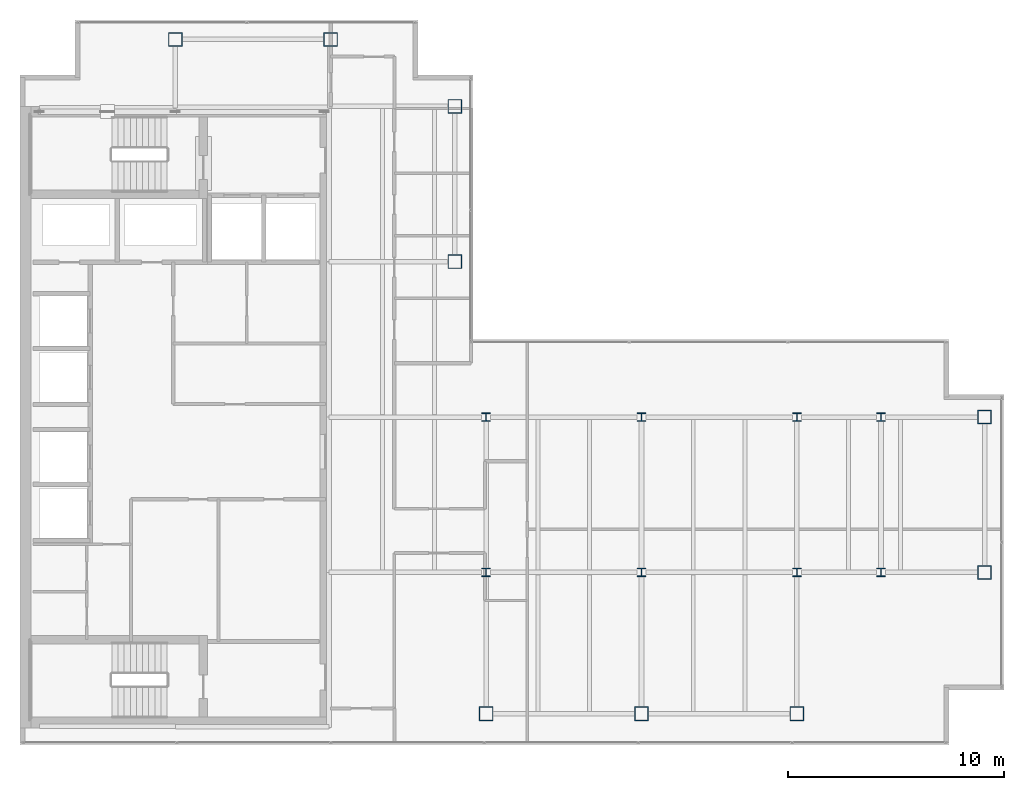
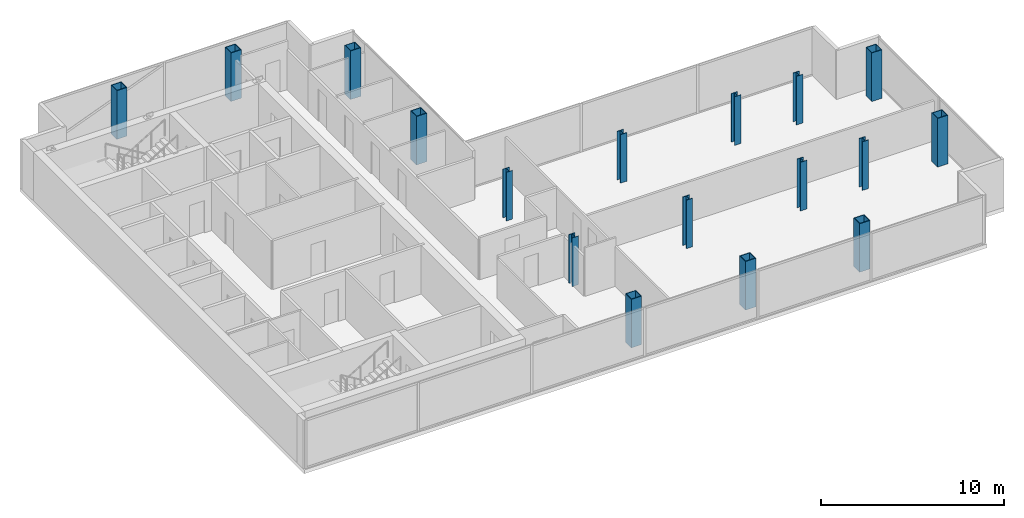
# One storey, part 1 of 23: 17 columns.
"""IFC4 building model written with IfcOpenShell, lengths in metres."""

import ifcopenshell
import ifcopenshell.guid

model = None  # the IFC model being written
_history = None  # IfcOwnerHistory: only IFC2X3 demands one
_inside = {}  # id of a spatial element -> (the spatial element, [elements in it])
_under = {}  # id of a project, library or spatial element -> (it, [spatial elements below it])
_declared = {}  # id of a project -> (the project, [libraries it declares])
_typed = {}  # id of a type object -> (the type object, [elements of that type])
_made_of = {}  # id of a material, layer set ... -> (it, [elements and type objects made of it])


def new_model(schema):
    """Start an empty IFC model of exactly this schema.

    Asked for "IFC4X3", IfcOpenShell would pick the latest addendum, in which some entities
    have other attributes; the version numbers below select the first issue.
    IFC2X3 requires an IfcOwnerHistory on every rooted entity: one is made here for all.
    """
    global model, _history
    if schema == "IFC4X3":
        model = ifcopenshell.file(schema_version=(4, 3, 0, 0))
    else:
        model = ifcopenshell.file(schema=schema)
    _inside.clear()
    _under.clear()
    _declared.clear()
    _typed.clear()
    _made_of.clear()
    _history = None
    if model.schema == "IFC2X3":
        org = make("IfcOrganization", Name="unknown")
        user = make(
            "IfcPersonAndOrganization",
            ThePerson=make("IfcPerson", FamilyName="unknown"),
            TheOrganization=org,
        )
        app = make(
            "IfcApplication",
            ApplicationDeveloper=org,
            Version="unknown",
            ApplicationFullName="unknown",
            ApplicationIdentifier="unknown",
        )
        _history = make(
            "IfcOwnerHistory",
            OwningUser=user,
            OwningApplication=app,
            ChangeAction="ADDED",
            CreationDate=0,
        )
    return model


def make(cls, **values):
    """One entity of the class cls with the attributes given. An attribute that is None is left unset."""
    return model.create_entity(
        cls, **{name: value for name, value in values.items() if value is not None}
    )


def rooted(cls, **values):
    """An entity with a GlobalId (a new one), such as an element, a storey or a relation."""
    return make(cls, GlobalId=ifcopenshell.guid.new(), OwnerHistory=_history, **values)


def si_unit(unit_type, name, prefix=None):
    """IfcSIUnit, for example si_unit("LENGTHUNIT", "METRE", prefix="MILLI")."""
    return make("IfcSIUnit", UnitType=unit_type, Prefix=prefix, Name=name)


def assignment(units):
    """IfcUnitAssignment: the units of a project."""
    return None if units is None else make("IfcUnitAssignment", Units=units)


def point(xyz):
    """IfcCartesianPoint."""
    return None if xyz is None else make("IfcCartesianPoint", Coordinates=xyz)


def direction(xyz):
    """IfcDirection."""
    return None if xyz is None else make("IfcDirection", DirectionRatios=xyz)


def frame(location, z_axis=None, x_axis=None):
    """IfcAxis2Placement3D, a coordinate frame: its origin and axes. An axis left out is left unset."""
    return make(
        "IfcAxis2Placement3D",
        Location=point(location),
        Axis=direction(z_axis),
        RefDirection=direction(x_axis),
    )


def frame_2d(location, x_axis=None):
    """IfcAxis2Placement2D, a coordinate frame in the plane: its origin and x axis."""
    return make(
        "IfcAxis2Placement2D", Location=point(location), RefDirection=direction(x_axis)
    )


def origin():
    """The frame at (0, 0, 0) with its axes left unset."""
    return frame((0.0, 0.0, 0.0))


def origin_2d():
    """The frame at (0, 0) in the plane with its x axis left unset."""
    return frame_2d((0.0, 0.0))


def place(relative_to, where):
    """IfcLocalPlacement: puts the frame where relative to a parent placement (None: the world)."""
    return make(
        "IfcLocalPlacement", PlacementRelTo=relative_to, RelativePlacement=where
    )


def context(
    kind, dimensions, precision=None, world=None, true_north=None, identifier=None
):
    """IfcGeometricRepresentationContext, for example the 3D "Model" context."""
    return make(
        "IfcGeometricRepresentationContext",
        ContextIdentifier=identifier,
        ContextType=kind,
        CoordinateSpaceDimension=dimensions,
        Precision=precision,
        WorldCoordinateSystem=world,
        TrueNorth=true_north,
    )


def subcontext(parent, identifier, kind, view, scale=None):
    """IfcGeometricRepresentationSubContext, for example "Body" below "Model"."""
    return make(
        "IfcGeometricRepresentationSubContext",
        ContextIdentifier=identifier,
        ContextType=kind,
        ParentContext=parent,
        TargetScale=scale,
        TargetView=view,
    )


def project(units=None, contexts=None):
    """IfcProject with its units and contexts."""
    return rooted(
        "IfcProject",
        Name="project",
        RepresentationContexts=contexts,
        UnitsInContext=assignment(units),
    )


def spatial(cls, under=None, at=None, **own):
    """A site, building, storey or space (cls), placed at a placement, below another one or the project."""
    s = rooted(cls, ObjectPlacement=at, **own)
    if under is not None:
        _under.setdefault(under.id(), (under, []))[1].append(s)
    return s


def profile(cls, at=None, kind="AREA", **sizes):
    """A parametric profile (cls). Its sizes go by their IFC names, for example OverallWidth=200.0."""
    return make(cls, ProfileType=kind, Position=at, **sizes)


def hollow_rectangle(**sizes):
    """IfcRectangleHollowProfileDef."""
    return profile("IfcRectangleHollowProfileDef", **sizes)


def i_section(**sizes):
    """IfcIShapeProfileDef."""
    return profile("IfcIShapeProfileDef", **sizes)


def extrude(swept, where, along, depth):
    """IfcExtrudedAreaSolid: the profile swept, set in the frame where, extruded along a direction by depth."""
    return make(
        "IfcExtrudedAreaSolid",
        SweptArea=swept,
        Position=where,
        ExtrudedDirection=direction(along),
        Depth=depth,
    )


def shape(context_of_items, identifier, shape_type, items):
    """IfcShapeRepresentation: the items that make up one representation, for example the "Body"."""
    return make(
        "IfcShapeRepresentation",
        ContextOfItems=context_of_items,
        RepresentationIdentifier=identifier,
        RepresentationType=shape_type,
        Items=items,
    )


def material(Name=None, Category=None):
    """IfcMaterial."""
    return make("IfcMaterial", Name=Name, Category=Category)


def material_profile(
    of_material, cross_section, Name=None, Category=None, Priority=None
):
    """IfcMaterialProfile: a cross section and its material."""
    return make(
        "IfcMaterialProfile",
        Name=Name,
        Material=of_material,
        Profile=cross_section,
        Priority=Priority,
        Category=Category,
    )


def profile_set(profiles, Name=None, composite=None):
    """IfcMaterialProfileSet."""
    return make(
        "IfcMaterialProfileSet",
        Name=Name,
        MaterialProfiles=profiles,
        CompositeProfile=composite,
    )


def made_of(thing, what):
    """Note that an element or type object is made of a material, layer set ...; save() writes the relation."""
    if what is not None:
        _made_of.setdefault(what.id(), (what, []))[1].append(thing)
    return thing


def type_object(cls, material=None, **own):
    """A type object (cls), such as IfcWallType, which elements share."""
    return made_of(rooted(cls, **own), material)


def element(
    cls,
    number,
    at=None,
    inside=None,
    cuts=None,
    type_object=None,
    material=None,
    context=None,
    identifier="Body",
    shape_type=None,
    held_by="IfcProductDefinitionShape",
    body=None,
    shapes=None,
    **own,
):
    """One element of the class cls, such as IfcWall. Its Tag is "e" and its number.

    at: its placement. inside: the storey or other place that contains it. cuts: it is an
    opening in that element (IfcRelVoidsElement). A single representation is given by context,
    identifier, shape_type and body (its items); several are given by shapes. held_by: the class
    of the entity that holds the representations. save() writes the other relations.
    """
    e = rooted(cls, Tag="e%d" % number, ObjectPlacement=at, **own)
    if body is not None:
        shapes = [shape(context, identifier, shape_type, body)]
    if shapes is not None:
        e.Representation = make(held_by, Representations=shapes)
    if inside is not None:
        _inside.setdefault(inside.id(), (inside, []))[1].append(e)
    if cuts is not None:
        rooted(
            "IfcRelVoidsElement", RelatingBuildingElement=cuts, RelatedOpeningElement=e
        )
    if type_object is not None:
        _typed.setdefault(type_object.id(), (type_object, []))[1].append(e)
    return made_of(e, material)


def aggregate(whole, parts):
    """IfcRelAggregates: a whole, such as a stair, and the parts it consists of."""
    return rooted("IfcRelAggregates", RelatingObject=whole, RelatedObjects=parts)


def save(model, path):
    """Write the relations noted so far, then the file.

    IfcRelAggregates (storeys below a building ...), IfcRelContainedInSpatialStructure (elements
    in a storey), IfcRelDefinesByType, IfcRelAssociatesMaterial and IfcRelDeclares: one each for
    every whole, place, type object, material and project.
    """
    for whole, parts in _under.values():
        aggregate(whole, parts)
    for where, things in _inside.values():
        rooted(
            "IfcRelContainedInSpatialStructure",
            RelatedElements=things,
            RelatingStructure=where,
        )
    for kind, things in _typed.values():
        rooted("IfcRelDefinesByType", RelatedObjects=things, RelatingType=kind)
    for what, things in _made_of.values():
        rooted("IfcRelAssociatesMaterial", RelatedObjects=things, RelatingMaterial=what)
    for by, libraries in _declared.values():
        rooted("IfcRelDeclares", RelatingContext=by, RelatedDefinitions=libraries)
    model.write(path)


model = new_model("IFC4")

# Units and contexts
model_context = context("Model", 3, precision=1e-05, world=origin(), true_north=direction((0.0, 1.0)))
body_context = subcontext(model_context, "Body", "Model", "MODEL_VIEW")
ifc_project = project(units=[si_unit("LENGTHUNIT", "METRE"), si_unit("AREAUNIT", "SQUARE_METRE"), si_unit("VOLUMEUNIT", "CUBIC_METRE"), si_unit("PLANEANGLEUNIT", "RADIAN"), si_unit("MASSUNIT", "GRAM", prefix="KILO")], contexts=[model_context])

# Site, building, storey
site_placement = place(None, origin())
site = spatial("IfcSite", under=ifc_project, at=site_placement, CompositionType="ELEMENT")
building_placement = place(site_placement, origin())
building = spatial("IfcBuilding", under=site, at=building_placement, Name="Cobrela Telecom Tower", CompositionType="ELEMENT")
storey_placement = place(building_placement, frame((0.0, 0.0, 258.64990234375)))
storey = spatial("IfcBuildingStorey", under=building, at=storey_placement, Name="L67", CompositionType="ELEMENT", Elevation=258.64990234375)

# Columns
ifc_material_1 = material(Name="Steel ASTM A992 Grade 50", Category="steel")
ifc_material_profile_1 = material_profile(ifc_material_1, i_section(OverallWidth=0.39892578125, OverallDepth=0.39404296875, WebThickness=0.022705078125, FlangeThickness=0.03662109375, FilletRadius=0.01806640625, at=origin_2d()), Name="W14X193")
ifc_profile_set_1 = profile_set([ifc_material_profile_1], Name="Steel ASTM A992 Grade 50")
column_type_1 = type_object("IfcColumnType", Name="COL-INT-06", PredefinedType="COLUMN", material=ifc_profile_set_1)
for number, where, z_axis, x_axis, name in (
    (1, (21.60009765625, 14.39990234375, 0.0), (0.0, 0.0, 1.0), (1.0, 0.0, 0.0), "L67 Interior Column 06"),
    (2, (21.60009765625, 21.60009765625, 0.0), (0.0, 0.0, 1.0), (1.0, 0.0, 0.0), "L67 Interior Column 07"),
    (3, (28.800048828125, 14.39990234375, 0.0), (0.0, 0.0, 1.0), (1.0, 0.0, 0.0), "L67 Interior Column 09"),
    (4, (28.800048828125, 21.60009765625, 0.0), (0.0, 0.0, 1.0), (1.0, 0.0, 0.0), "L67 Interior Column 10"),
    (5, (36.0, 14.39990234375, 0.0), (0.0, 0.0, 1.0), (1.0, 0.0, 0.0), "L67 Interior Column 12"),
    (6, (36.0, 21.60009765625, 0.0), (0.0, 0.0, 1.0), (1.0, 0.0, 0.0), "L67 Interior Column 13"),
    (7, (39.89990234375, 14.39990234375, 0.0), (0.0, 0.0, 1.0), (1.0, 0.0, 0.0), "L67 Interior Column 14"),
    (8, (39.89990234375, 21.60009765625, 0.0), (0.0, 0.0, 1.0), (1.0, 0.0, 0.0), "L67 Interior Column 15"),
):
    element("IfcColumn", number, at=place(storey_placement, frame(where, z_axis=z_axis, x_axis=x_axis)), inside=storey, type_object=column_type_1, Name=name, PredefinedType="COLUMN", context=body_context, shape_type="SweptSolid", body=[
        extrude(i_section(OverallWidth=0.39892578125, OverallDepth=0.39404296875, WebThickness=0.022705078125, FlangeThickness=0.03662109375, FilletRadius=0.01806640625, at=origin_2d()), origin(), (0.0, 0.0, 1.0), 3.239990234375),
    ])
ifc_material_2 = material(Name="Steel ASTM A572 Grade 50", Category="steel")
ifc_material_profile_2 = material_profile(ifc_material_2, hollow_rectangle(XDim=0.64990234375, YDim=0.64990234375, WallThickness=0.0400390625, at=origin_2d()), Name="BOX 650x650x40")
ifc_profile_set_2 = profile_set([ifc_material_profile_2], Name="Steel ASTM A572 Grade 50")
column_type_2 = type_object("IfcColumnType", Name="COL-MEGA-09", PredefinedType="COLUMN", material=ifc_profile_set_2)
for number, where, z_axis, x_axis, name in (
    (9, (7.199951171875, 39.10009765625, 0.0), (0.0, 0.0, 1.0), (1.0, 0.0, 0.0), "L67 Perimeter Mega-Column 01"),
    (10, (14.39990234375, 39.10009765625, 0.0), (0.0, 0.0, 1.0), (1.0, 0.0, 0.0), "L67 Perimeter Mega-Column 02"),
    (11, (20.14990234375, 28.800048828125, 0.0), (0.0, 0.0, 1.0), (1.0, 0.0, 0.0), "L67 Perimeter Mega-Column 03"),
    (12, (20.14990234375, 36.0, 0.0), (0.0, 0.0, 1.0), (1.0, 0.0, 0.0), "L67 Perimeter Mega-Column 04"),
    (13, (21.60009765625, 7.85009765625, 0.0), (0.0, 0.0, 1.0), (1.0, 0.0, 0.0), "L67 Perimeter Mega-Column 05"),
    (14, (28.800048828125, 7.85009765625, 0.0), (0.0, 0.0, 1.0), (1.0, 0.0, 0.0), "L67 Perimeter Mega-Column 08"),
    (15, (36.0, 7.85009765625, 0.0), (0.0, 0.0, 1.0), (1.0, 0.0, 0.0), "L67 Perimeter Mega-Column 11"),
    (16, (44.699951171875, 14.39990234375, 0.0), (0.0, 0.0, 1.0), (1.0, 0.0, 0.0), "L67 Perimeter Mega-Column 16"),
    (17, (44.699951171875, 21.60009765625, 0.0), (0.0, 0.0, 1.0), (1.0, 0.0, 0.0), "L67 Perimeter Mega-Column 17"),
):
    element("IfcColumn", number, at=place(storey_placement, frame(where, z_axis=z_axis, x_axis=x_axis)), inside=storey, type_object=column_type_2, Name=name, PredefinedType="COLUMN", context=body_context, shape_type="SweptSolid", body=[
        extrude(hollow_rectangle(XDim=0.64990234375, YDim=0.64990234375, WallThickness=0.0400390625, at=origin_2d()), origin(), (0.0, 0.0, 1.0), 3.239990234375),
    ])

save(model, "model.ifc")
